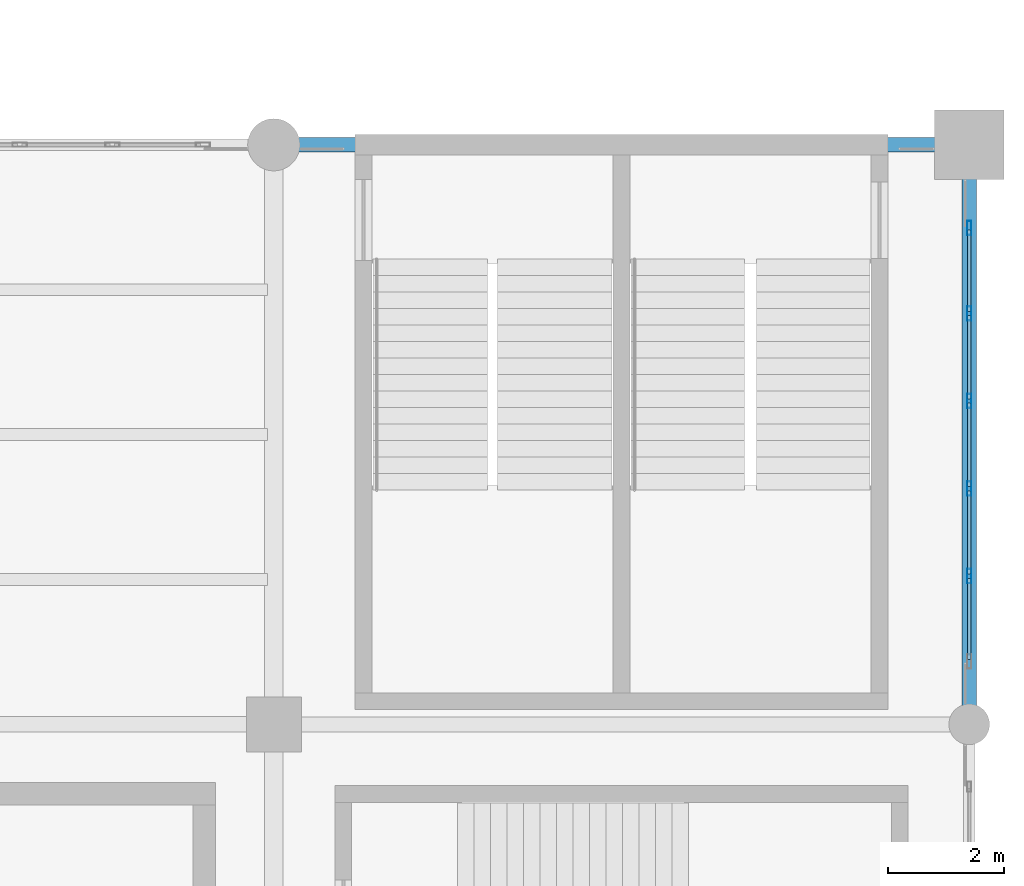
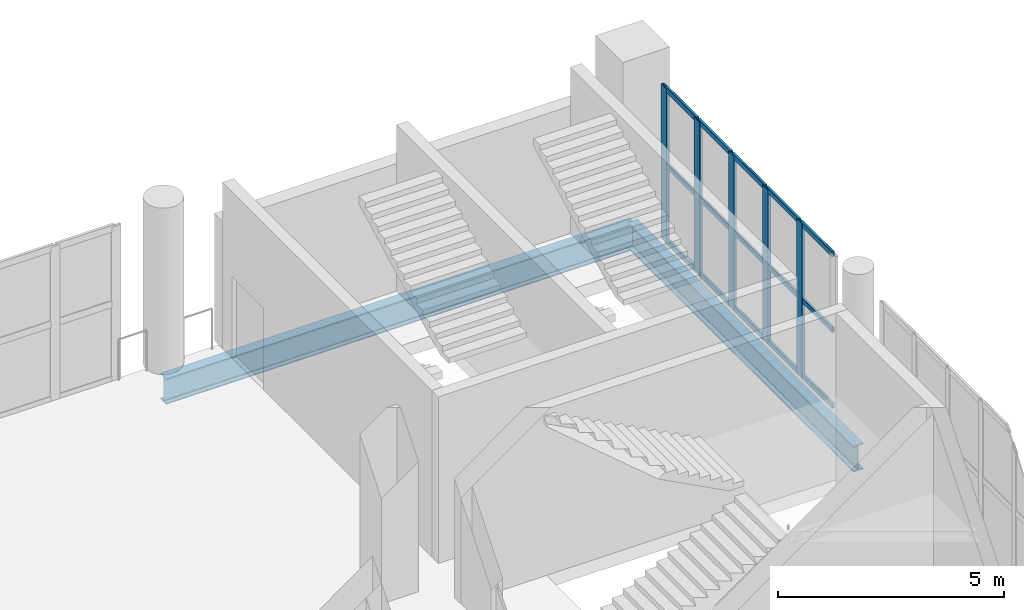
# One storey, part 49 of 90: 20 members, 2 beams, 1 element without a shape of its own.
"""IFC4 building model written with IfcOpenShell, lengths in metres."""

from ifc_helpers import new_model, si_unit, direction, frame, origin, origin_2d, place, context, subcontext, project, spatial, hollow_rectangle, i_section, extrude, material, layer, layer_set, material_profile, profile_set, type_object, element, aggregate, save


model = new_model("IFC4")

# Units and contexts
model_context = context("Model", 3, precision=1e-05, world=origin(), true_north=direction((0.0, 1.0)))
body_context = subcontext(model_context, "Body", "Model", "MODEL_VIEW")
ifc_project = project(units=[si_unit("LENGTHUNIT", "METRE"), si_unit("AREAUNIT", "SQUARE_METRE"), si_unit("VOLUMEUNIT", "CUBIC_METRE"), si_unit("PLANEANGLEUNIT", "RADIAN"), si_unit("MASSUNIT", "GRAM", prefix="KILO")], contexts=[model_context])

# Site, building, storey
site_placement = place(None, origin())
site = spatial("IfcSite", under=ifc_project, at=site_placement, CompositionType="ELEMENT")
building_placement = place(site_placement, origin())
building = spatial("IfcBuilding", under=site, at=building_placement, Name="Brinegate Civic Arena", CompositionType="ELEMENT")
storey_placement = place(building_placement, frame((0.0, 0.0, 14.699951171875)))
storey = spatial("IfcBuildingStorey", under=building, at=storey_placement, Name="L03", CompositionType="ELEMENT", Elevation=14.699951171875)

# Curtain wall, members
ifc_material_1 = material(Name="Marine grade aluminium", Category="aluminium")
ifc_layer = layer(ifc_material_1, 0.199951171875, Name="Marine grade aluminium")
ifc_layer_set = layer_set([ifc_layer], Name="Marine grade aluminium")
curtain_wall_type = type_object("IfcCurtainWallType", Name="CW-BOWL-GLAZED-01", PredefinedType="USERDEFINED", material=ifc_layer_set)
curtain_wall_placement = place(storey_placement, origin())
curtain_wall = element("IfcCurtainWall", 1, at=curtain_wall_placement, inside=storey, type_object=curtain_wall_type, Name="Curtain Wall CWA-122", ObjectType="GLAZED CURTAIN WALL", PredefinedType="USERDEFINED")
ifc_material_profile_1 = material_profile(ifc_material_1, hollow_rectangle(XDim=0.074951171875, YDim=0.25, WallThickness=0.006103515625, InnerFilletRadius=0.00390625, OuterFilletRadius=0.008056640625, at=origin_2d()), Name="MUL75X250")
ifc_profile_set_1 = profile_set([ifc_material_profile_1], Name="Marine grade aluminium")
member_type_1 = type_object("IfcMemberType", Name="CW-MULLION-75X250", PredefinedType="MULLION", material=ifc_profile_set_1)
member_1_placement = place(storey_placement, frame((168.0, 106.55615234375, 0.0), z_axis=(0.0, 0.0, 1.0), x_axis=(-1.0, 0.0, 0.0)))
member_1 = element("IfcMember", 2, at=member_1_placement, type_object=member_type_1, Name="CWA-122 mullion 2", PredefinedType="MULLION", context=body_context, shape_type="SweptSolid", body=[
    extrude(hollow_rectangle(XDim=0.074951171875, YDim=0.25, WallThickness=0.006103515625, InnerFilletRadius=0.00390625, OuterFilletRadius=0.008056640625, at=origin_2d()), origin(), (0.0, 0.0, 1.0), 4.16015625),
])
member_2_placement = place(storey_placement, frame((168.0, 108.0673828125, 0.0), z_axis=(0.0, 0.0, 1.0), x_axis=(-1.0, 0.0, 0.0)))
member_2 = element("IfcMember", 3, at=member_2_placement, type_object=member_type_1, Name="CWA-122 mullion 3", PredefinedType="MULLION", context=body_context, shape_type="SweptSolid", body=[
    extrude(hollow_rectangle(XDim=0.074951171875, YDim=0.25, WallThickness=0.006103515625, InnerFilletRadius=0.00390625, OuterFilletRadius=0.008056640625, at=origin_2d()), origin(), (0.0, 0.0, 1.0), 4.16015625),
])
member_3_placement = place(storey_placement, frame((168.0, 109.57861328125, 0.0), z_axis=(0.0, 0.0, 1.0), x_axis=(-1.0, 0.0, 0.0)))
member_3 = element("IfcMember", 4, at=member_3_placement, type_object=member_type_1, Name="CWA-122 mullion 4", PredefinedType="MULLION", context=body_context, shape_type="SweptSolid", body=[
    extrude(hollow_rectangle(XDim=0.074951171875, YDim=0.25, WallThickness=0.006103515625, InnerFilletRadius=0.00390625, OuterFilletRadius=0.008056640625, at=origin_2d()), origin(), (0.0, 0.0, 1.0), 4.16015625),
])
member_4_placement = place(storey_placement, frame((168.0, 111.08984375, 0.0), z_axis=(0.0, 0.0, 1.0), x_axis=(-1.0, 0.0, 0.0)))
member_4 = element("IfcMember", 5, at=member_4_placement, type_object=member_type_1, Name="CWA-122 mullion 5", PredefinedType="MULLION", context=body_context, shape_type="SweptSolid", body=[
    extrude(hollow_rectangle(XDim=0.074951171875, YDim=0.25, WallThickness=0.006103515625, InnerFilletRadius=0.00390625, OuterFilletRadius=0.008056640625, at=origin_2d()), origin(), (0.0, 0.0, 1.0), 4.16015625),
])
member_5_placement = place(storey_placement, frame((168.0, 112.5634765625, 0.0), z_axis=(0.0, 0.0, 1.0), x_axis=(-1.0, 0.0, 0.0)))
member_5 = element("IfcMember", 6, at=member_5_placement, type_object=member_type_1, Name="CWA-122 mullion 6", PredefinedType="MULLION", context=body_context, shape_type="SweptSolid", body=[
    extrude(hollow_rectangle(XDim=0.074951171875, YDim=0.25, WallThickness=0.006103515625, InnerFilletRadius=0.00390625, OuterFilletRadius=0.008056640625, at=origin_2d()), origin(), (0.0, 0.0, 1.0), 4.16015625),
])
ifc_material_profile_2 = material_profile(ifc_material_1, hollow_rectangle(XDim=0.06494140625, YDim=0.139892578125, WallThickness=0.0048828125, InnerFilletRadius=0.00390625, OuterFilletRadius=0.008056640625, at=origin_2d()), Name="TRN65X140")
ifc_profile_set_2 = profile_set([ifc_material_profile_2], Name="Marine grade aluminium")
member_type_2 = type_object("IfcMemberType", Name="CW-TRANSOM-65X140", PredefinedType="USERDEFINED", material=ifc_profile_set_2)
member_6_placement = place(storey_placement, frame((168.0, 105.1201171875, 0.032470703125), z_axis=(0.0, 1.0, 0.0), x_axis=(-1.0, 0.0, 0.0)))
member_6 = element("IfcMember", 7, at=member_6_placement, type_object=member_type_2, Name="CWA-122 transom 1.1", ObjectType="TRANSOM", PredefinedType="USERDEFINED", context=body_context, shape_type="SweptSolid", body=[
    extrude(hollow_rectangle(XDim=0.06494140625, YDim=0.139892578125, WallThickness=0.0048828125, InnerFilletRadius=0.00390625, OuterFilletRadius=0.008056640625, at=origin_2d()), origin(), (0.0, 0.0, 1.0), 1.398681640625),
])
member_7_placement = place(storey_placement, frame((168.0, 105.1201171875, 2.080078125), z_axis=(0.0, 1.0, 0.0), x_axis=(-1.0, 0.0, 0.0)))
member_7 = element("IfcMember", 8, at=member_7_placement, type_object=member_type_2, Name="CWA-122 transom 1.2", ObjectType="TRANSOM", PredefinedType="USERDEFINED", context=body_context, shape_type="SweptSolid", body=[
    extrude(hollow_rectangle(XDim=0.06494140625, YDim=0.139892578125, WallThickness=0.0048828125, InnerFilletRadius=0.00390625, OuterFilletRadius=0.008056640625, at=origin_2d()), origin(), (0.0, 0.0, 1.0), 1.398681640625),
])
member_8_placement = place(storey_placement, frame((168.0, 105.1201171875, 4.12744140625), z_axis=(0.0, 1.0, 0.0), x_axis=(-1.0, 0.0, 0.0)))
member_8 = element("IfcMember", 9, at=member_8_placement, type_object=member_type_2, Name="CWA-122 transom 1.3", ObjectType="TRANSOM", PredefinedType="USERDEFINED", context=body_context, shape_type="SweptSolid", body=[
    extrude(hollow_rectangle(XDim=0.06494140625, YDim=0.139892578125, WallThickness=0.0048828125, InnerFilletRadius=0.00390625, OuterFilletRadius=0.008056640625, at=origin_2d()), origin(), (0.0, 0.0, 1.0), 1.398681640625),
])
member_9_placement = place(storey_placement, frame((168.0, 106.59375, 0.032470703125), z_axis=(0.0, 1.0, 0.0), x_axis=(-1.0, 0.0, 0.0)))
member_9 = element("IfcMember", 10, at=member_9_placement, type_object=member_type_2, Name="CWA-122 transom 2.1", ObjectType="TRANSOM", PredefinedType="USERDEFINED", context=body_context, shape_type="SweptSolid", body=[
    extrude(hollow_rectangle(XDim=0.06494140625, YDim=0.139892578125, WallThickness=0.0048828125, InnerFilletRadius=0.00390625, OuterFilletRadius=0.008056640625, at=origin_2d()), origin(), (0.0, 0.0, 1.0), 1.43603515625),
])
member_10_placement = place(storey_placement, frame((168.0, 106.59375, 2.080078125), z_axis=(0.0, 1.0, 0.0), x_axis=(-1.0, 0.0, 0.0)))
member_10 = element("IfcMember", 11, at=member_10_placement, type_object=member_type_2, Name="CWA-122 transom 2.2", ObjectType="TRANSOM", PredefinedType="USERDEFINED", context=body_context, shape_type="SweptSolid", body=[
    extrude(hollow_rectangle(XDim=0.06494140625, YDim=0.139892578125, WallThickness=0.0048828125, InnerFilletRadius=0.00390625, OuterFilletRadius=0.008056640625, at=origin_2d()), origin(), (0.0, 0.0, 1.0), 1.43603515625),
])
member_11_placement = place(storey_placement, frame((168.0, 106.59375, 4.12744140625), z_axis=(0.0, 1.0, 0.0), x_axis=(-1.0, 0.0, 0.0)))
member_11 = element("IfcMember", 12, at=member_11_placement, type_object=member_type_2, Name="CWA-122 transom 2.3", ObjectType="TRANSOM", PredefinedType="USERDEFINED", context=body_context, shape_type="SweptSolid", body=[
    extrude(hollow_rectangle(XDim=0.06494140625, YDim=0.139892578125, WallThickness=0.0048828125, InnerFilletRadius=0.00390625, OuterFilletRadius=0.008056640625, at=origin_2d()), origin(), (0.0, 0.0, 1.0), 1.43603515625),
])
member_12_placement = place(storey_placement, frame((168.0, 108.10498046875, 0.032470703125), z_axis=(0.0, 1.0, 0.0), x_axis=(-1.0, 0.0, 0.0)))
member_12 = element("IfcMember", 13, at=member_12_placement, type_object=member_type_2, Name="CWA-122 transom 3.1", ObjectType="TRANSOM", PredefinedType="USERDEFINED", context=body_context, shape_type="SweptSolid", body=[
    extrude(hollow_rectangle(XDim=0.06494140625, YDim=0.139892578125, WallThickness=0.0048828125, InnerFilletRadius=0.00390625, OuterFilletRadius=0.008056640625, at=origin_2d()), origin(), (0.0, 0.0, 1.0), 1.43603515625),
])
member_13_placement = place(storey_placement, frame((168.0, 108.10498046875, 2.080078125), z_axis=(0.0, 1.0, 0.0), x_axis=(-1.0, 0.0, 0.0)))
member_13 = element("IfcMember", 14, at=member_13_placement, type_object=member_type_2, Name="CWA-122 transom 3.2", ObjectType="TRANSOM", PredefinedType="USERDEFINED", context=body_context, shape_type="SweptSolid", body=[
    extrude(hollow_rectangle(XDim=0.06494140625, YDim=0.139892578125, WallThickness=0.0048828125, InnerFilletRadius=0.00390625, OuterFilletRadius=0.008056640625, at=origin_2d()), origin(), (0.0, 0.0, 1.0), 1.43603515625),
])
member_14_placement = place(storey_placement, frame((168.0, 108.10498046875, 4.12744140625), z_axis=(0.0, 1.0, 0.0), x_axis=(-1.0, 0.0, 0.0)))
member_14 = element("IfcMember", 15, at=member_14_placement, type_object=member_type_2, Name="CWA-122 transom 3.3", ObjectType="TRANSOM", PredefinedType="USERDEFINED", context=body_context, shape_type="SweptSolid", body=[
    extrude(hollow_rectangle(XDim=0.06494140625, YDim=0.139892578125, WallThickness=0.0048828125, InnerFilletRadius=0.00390625, OuterFilletRadius=0.008056640625, at=origin_2d()), origin(), (0.0, 0.0, 1.0), 1.43603515625),
])
member_15_placement = place(storey_placement, frame((168.0, 109.6162109375, 0.032470703125), z_axis=(0.0, 1.0, 0.0), x_axis=(-1.0, 0.0, 0.0)))
member_15 = element("IfcMember", 16, at=member_15_placement, type_object=member_type_2, Name="CWA-122 transom 4.1", ObjectType="TRANSOM", PredefinedType="USERDEFINED", context=body_context, shape_type="SweptSolid", body=[
    extrude(hollow_rectangle(XDim=0.06494140625, YDim=0.139892578125, WallThickness=0.0048828125, InnerFilletRadius=0.00390625, OuterFilletRadius=0.008056640625, at=origin_2d()), origin(), (0.0, 0.0, 1.0), 1.43603515625),
])
member_16_placement = place(storey_placement, frame((168.0, 109.6162109375, 2.080078125), z_axis=(0.0, 1.0, 0.0), x_axis=(-1.0, 0.0, 0.0)))
member_16 = element("IfcMember", 17, at=member_16_placement, type_object=member_type_2, Name="CWA-122 transom 4.2", ObjectType="TRANSOM", PredefinedType="USERDEFINED", context=body_context, shape_type="SweptSolid", body=[
    extrude(hollow_rectangle(XDim=0.06494140625, YDim=0.139892578125, WallThickness=0.0048828125, InnerFilletRadius=0.00390625, OuterFilletRadius=0.008056640625, at=origin_2d()), origin(), (0.0, 0.0, 1.0), 1.43603515625),
])
member_17_placement = place(storey_placement, frame((168.0, 109.6162109375, 4.12744140625), z_axis=(0.0, 1.0, 0.0), x_axis=(-1.0, 0.0, 0.0)))
member_17 = element("IfcMember", 18, at=member_17_placement, type_object=member_type_2, Name="CWA-122 transom 4.3", ObjectType="TRANSOM", PredefinedType="USERDEFINED", context=body_context, shape_type="SweptSolid", body=[
    extrude(hollow_rectangle(XDim=0.06494140625, YDim=0.139892578125, WallThickness=0.0048828125, InnerFilletRadius=0.00390625, OuterFilletRadius=0.008056640625, at=origin_2d()), origin(), (0.0, 0.0, 1.0), 1.43603515625),
])
member_18_placement = place(storey_placement, frame((168.0, 111.127197265625, 0.032470703125), z_axis=(0.0, 1.0, 0.0), x_axis=(-1.0, 0.0, 0.0)))
member_18 = element("IfcMember", 19, at=member_18_placement, type_object=member_type_2, Name="CWA-122 transom 5.1", ObjectType="TRANSOM", PredefinedType="USERDEFINED", context=body_context, shape_type="SweptSolid", body=[
    extrude(hollow_rectangle(XDim=0.06494140625, YDim=0.139892578125, WallThickness=0.0048828125, InnerFilletRadius=0.00390625, OuterFilletRadius=0.008056640625, at=origin_2d()), origin(), (0.0, 0.0, 1.0), 1.398681640625),
])
member_19_placement = place(storey_placement, frame((168.0, 111.127197265625, 2.080078125), z_axis=(0.0, 1.0, 0.0), x_axis=(-1.0, 0.0, 0.0)))
member_19 = element("IfcMember", 20, at=member_19_placement, type_object=member_type_2, Name="CWA-122 transom 5.2", ObjectType="TRANSOM", PredefinedType="USERDEFINED", context=body_context, shape_type="SweptSolid", body=[
    extrude(hollow_rectangle(XDim=0.06494140625, YDim=0.139892578125, WallThickness=0.0048828125, InnerFilletRadius=0.00390625, OuterFilletRadius=0.008056640625, at=origin_2d()), origin(), (0.0, 0.0, 1.0), 1.398681640625),
])
member_20_placement = place(storey_placement, frame((168.0, 111.127197265625, 4.12744140625), z_axis=(0.0, 1.0, 0.0), x_axis=(-1.0, 0.0, 0.0)))
member_20 = element("IfcMember", 21, at=member_20_placement, type_object=member_type_2, Name="CWA-122 transom 5.3", ObjectType="TRANSOM", PredefinedType="USERDEFINED", context=body_context, shape_type="SweptSolid", body=[
    extrude(hollow_rectangle(XDim=0.06494140625, YDim=0.139892578125, WallThickness=0.0048828125, InnerFilletRadius=0.00390625, OuterFilletRadius=0.008056640625, at=origin_2d()), origin(), (0.0, 0.0, 1.0), 1.398681640625),
])
aggregate(curtain_wall, [member_1, member_2, member_3, member_4, member_5, member_6, member_7, member_8, member_9, member_10, member_11, member_12, member_13, member_14, member_15, member_16, member_17, member_18, member_19, member_20])

# Beams
ifc_material_2 = material(Name="Steel S355", Category="steel")
ifc_material_profile_3 = material_profile(ifc_material_2, i_section(OverallWidth=0.256103515625, OverallDepth=0.693115234375, WebThickness=0.014892578125, FlangeThickness=0.02392578125, FilletRadius=0.01806640625, at=origin_2d()), Name="W690X170")
ifc_profile_set_3 = profile_set([ifc_material_profile_3], Name="Steel S355")
beam_type = type_object("IfcBeamType", Name="SPANDREL-W690X170", PredefinedType="SPANDREL", material=ifc_profile_set_3)
beam_1_placement = place(storey_placement, frame((156.0, 114.0, -0.696044921875), z_axis=(1.0, 0.0, 0.0), x_axis=(0.0, 1.0, 0.0)))
element("IfcBeam", 22, at=beam_1_placement, inside=storey, type_object=beam_type, Name="Floor Girder BM-L03-GX-13-11", PredefinedType="SPANDREL", context=body_context, shape_type="SweptSolid", body=[
    extrude(i_section(OverallWidth=0.256103515625, OverallDepth=0.693115234375, WebThickness=0.014892578125, FlangeThickness=0.02392578125, FilletRadius=0.01806640625, at=origin_2d()), origin(), (0.0, 0.0, 1.0), 12.0),
])
beam_2_placement = place(storey_placement, frame((168.0, 104.0, -0.696044921875), z_axis=(0.0, 1.0, 0.0), x_axis=(-1.0, 0.0, 0.0)))
element("IfcBeam", 23, at=beam_2_placement, inside=storey, type_object=beam_type, Name="Floor Girder BM-L03-GY-14-10", PredefinedType="SPANDREL", context=body_context, shape_type="SweptSolid", body=[
    extrude(i_section(OverallWidth=0.256103515625, OverallDepth=0.693115234375, WebThickness=0.014892578125, FlangeThickness=0.02392578125, FilletRadius=0.01806640625, at=origin_2d()), origin(), (0.0, 0.0, 1.0), 10.0),
])

save(model, "model.ifc")
